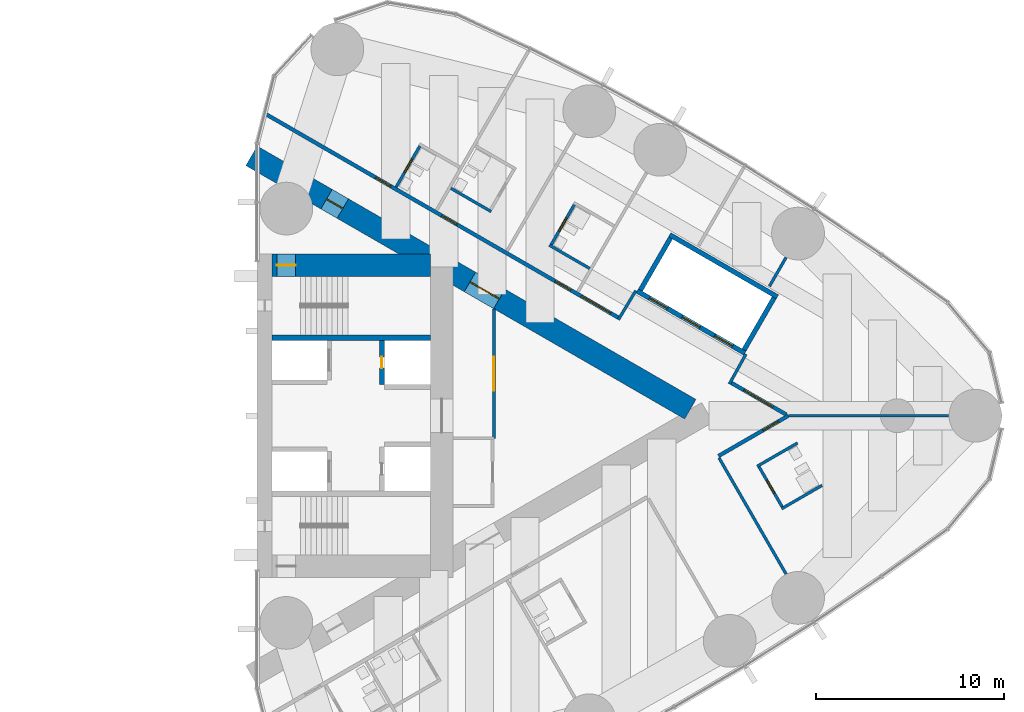
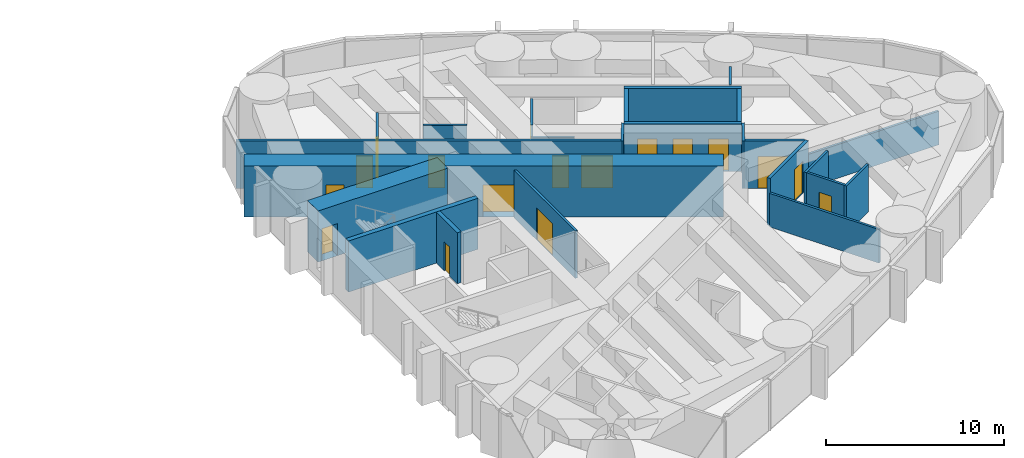
# One storey, part 15 of 19: 24 walls, 17 doors, 17 openings.
"""IFC4 building model written with IfcOpenShell, lengths in metres."""

from ifc_helpers import new_model, si_unit, direction, frame, frame_2d, origin, place, context, subcontext, project, spatial, rectangle, extrude, material, layer, layer_set, type_object, element, fill, save


model = new_model("IFC4")

# Units and contexts
model_context = context("Model", 3, precision=1e-05, world=origin(), true_north=direction((0.0, 1.0)))
body_context = subcontext(model_context, "Body", "Model", "MODEL_VIEW")
ifc_project = project(units=[si_unit("LENGTHUNIT", "METRE"), si_unit("AREAUNIT", "SQUARE_METRE"), si_unit("VOLUMEUNIT", "CUBIC_METRE"), si_unit("PLANEANGLEUNIT", "RADIAN"), si_unit("MASSUNIT", "GRAM", prefix="KILO")], contexts=[model_context])

# Site, building, storey
site_placement = place(None, origin())
site = spatial("IfcSite", under=ifc_project, at=site_placement, CompositionType="ELEMENT")
building_placement = place(site_placement, origin())
building = spatial("IfcBuilding", under=site, at=building_placement, Name="Lancet Gate Hotel", CompositionType="ELEMENT")
storey_placement = place(building_placement, frame((0.0, 0.0, 184.300048828125)))
storey = spatial("IfcBuildingStorey", under=building, at=storey_placement, Name="L49", CompositionType="ELEMENT", Elevation=184.300048828125)

# Wall
ifc_material_1 = material(Name="Moisture resistant board partition")
ifc_layer_1 = layer(ifc_material_1, 0.14990234375)
ifc_layer_set_1 = layer_set([ifc_layer_1], Name="Bathroom wall 150")
wall_type_1 = type_object("IfcWallType", Name="Bathroom wall 150", PredefinedType="PARTITIONING", material=ifc_layer_set_1)
wall_1_placement = place(storey_placement, frame((55.34912109375, -4.938232421875, 0.0), z_axis=(0.0, 0.0, 1.0), x_axis=(0.866006523861, 0.500032699561, 0.0)))
element("IfcWall", 1, at=wall_1_placement, inside=storey, type_object=wall_type_1, Name="T2 bathroom wall 150 L49", PredefinedType="PARTITIONING", context=body_context, shape_type="SweptSolid", body=[
    extrude(rectangle(XDim=2.474853515625, YDim=0.14990234375, at=frame_2d((1.2373046875, 0.0))), origin(), (0.0, 0.0, 1.0), 3.25),
])

# Wall, opening, door
wall_2_placement = place(storey_placement, frame((54.114013671875, -2.64892578125, 0.0), z_axis=(0.0, 0.0, 1.0), x_axis=(0.500006934395, -0.866021400173, 0.0)))
wall_2 = element("IfcWall", 2, at=wall_2_placement, inside=storey, type_object=wall_type_1, Name="T2 bathroom wall 150 L49", PredefinedType="PARTITIONING", context=body_context, shape_type="SweptSolid", body=[
    extrude(rectangle(XDim=2.60009765625, YDim=0.14990234375, at=frame_2d((1.300048828125, 0.0))), origin(), (0.0, 0.0, 1.0), 3.25),
])
opening_1_placement = place(wall_2_placement, frame((0.89990234375, 0.0, 0.0)))
opening_1 = element("IfcOpeningElement", 3, at=opening_1_placement, cuts=wall_2, Name="Opening 4957-B", PredefinedType="OPENING", context=body_context, shape_type="SweptSolid", body=[
    extrude(rectangle(XDim=0.800048828125, YDim=2.199951171875, at=frame_2d((0.39990234375, 1.10009765625))), frame((0.0, 0.0849609375, 0.0), z_axis=(0.0, -1.0, 0.0), x_axis=(1.0, 0.0, 0.0)), (0.0, 0.0, 1.0), 0.169921875),
])
ifc_material_2 = material(Name="Timber door set", Category="wood")
door_type_1 = type_object("IfcDoorType", Name="Bathroom door 800", OperationType="SINGLE_SWING_RIGHT", PredefinedType="DOOR", material=ifc_material_2)
door_1_placement = place(opening_1_placement, origin())
door_1 = element("IfcDoor", 4, at=door_1_placement, inside=storey, type_object=door_type_1, Name="4957-B", OperationType="SINGLE_SWING_RIGHT", OverallHeight=2.199951171875, OverallWidth=0.800048828125, PredefinedType="DOOR", context=body_context, shape_type="SweptSolid", body=[
    extrude(rectangle(XDim=0.800048828125, YDim=2.199951171875, at=frame_2d((0.39990234375, 1.10009765625))), frame((0.0, 0.02490234375, 0.0), z_axis=(0.0, -1.0, 0.0), x_axis=(1.0, 0.0, 0.0)), (0.0, 0.0, 1.0), 0.050048828125),
])
fill(opening_1, door_1)

# Wall
wall_3_placement = place(storey_placement, frame((54.049072265625, -2.6865234375, 0.0), z_axis=(0.0, 0.0, 1.0), x_axis=(0.866006523861, 0.500032699561, 0.0)))
element("IfcWall", 5, at=wall_3_placement, inside=storey, type_object=wall_type_1, Name="T2 bathroom wall 150 L49", PredefinedType="PARTITIONING", context=body_context, shape_type="SweptSolid", body=[
    extrude(rectangle(XDim=2.474853515625, YDim=0.14990234375, at=frame_2d((1.2373046875, 0.0))), origin(), (0.0, 0.0, 1.0), 3.25),
])

# Wall, opening, door
wall_4_placement = place(storey_placement, frame((43.078125, 9.020751953125, 0.0), z_axis=(0.0, 0.0, 1.0), x_axis=(0.49997716683, 0.86603858612, 0.0)))
wall_4 = element("IfcWall", 6, at=wall_4_placement, inside=storey, type_object=wall_type_1, Name="T2 bathroom wall 150 L49", PredefinedType="PARTITIONING", context=body_context, shape_type="SweptSolid", body=[
    extrude(rectangle(XDim=2.599609375, YDim=0.14990234375, at=frame_2d((1.2998046875, 0.0))), origin(), (0.0, 0.0, 1.0), 3.25),
])
opening_2_placement = place(wall_4_placement, frame((0.89990234375, 0.0, 0.0)))
opening_2 = element("IfcOpeningElement", 7, at=opening_2_placement, cuts=wall_4, Name="Opening 4961-B", PredefinedType="OPENING", context=body_context, shape_type="SweptSolid", body=[
    extrude(rectangle(XDim=0.800048828125, YDim=2.199951171875, at=frame_2d((0.39990234375, 1.10009765625))), frame((0.0, 0.0849609375, 0.0), z_axis=(0.0, -1.0, 0.0), x_axis=(1.0, 0.0, 0.0)), (0.0, 0.0, 1.0), 0.169921875),
])
door_2_placement = place(opening_2_placement, origin())
door_2 = element("IfcDoor", 8, at=door_2_placement, inside=storey, type_object=door_type_1, Name="4961-B", OperationType="SINGLE_SWING_RIGHT", OverallHeight=2.199951171875, OverallWidth=0.800048828125, PredefinedType="DOOR", context=body_context, shape_type="SweptSolid", body=[
    extrude(rectangle(XDim=0.800048828125, YDim=2.199951171875, at=frame_2d((0.39990234375, 1.10009765625))), frame((0.0, 0.02490234375, 0.0), z_axis=(0.0, -1.0, 0.0), x_axis=(1.0, 0.0, 0.0)), (0.0, 0.0, 1.0), 0.050048828125),
])
fill(opening_2, door_2)

# Walls
wall_5_placement = place(storey_placement, frame((43.01318359375, 9.05810546875, 0.0), z_axis=(0.0, 0.0, 1.0), x_axis=(0.866006523861, -0.500032699561, 0.0)))
element("IfcWall", 9, at=wall_5_placement, inside=storey, type_object=wall_type_1, Name="T2 bathroom wall 150 L49", PredefinedType="PARTITIONING", context=body_context, shape_type="SweptSolid", body=[
    extrude(rectangle(XDim=2.474853515625, YDim=0.14990234375, at=frame_2d((1.2373046875, 0.0))), origin(), (0.0, 0.0, 1.0), 2.449951171875),
])
wall_6_placement = place(storey_placement, frame((37.787109375, 12.075439453125, 0.0), z_axis=(0.0, 0.0, 1.0), x_axis=(0.866006523861, -0.500032699561, 0.0)))
element("IfcWall", 10, at=wall_6_placement, inside=storey, type_object=wall_type_1, Name="T2 bathroom wall 150 L49", PredefinedType="PARTITIONING", context=body_context, shape_type="SweptSolid", body=[
    extrude(rectangle(XDim=2.474853515625, YDim=0.14990234375, at=frame_2d((1.2373046875, 0.0))), origin(), (0.0, 0.0, 1.0), 3.25),
])

# Wall, opening, door
wall_7_placement = place(storey_placement, frame((34.878662109375, 12.137939453125, 0.0), z_axis=(0.0, 0.0, 1.0), x_axis=(0.500006934395, 0.866021400173, 0.0)))
wall_7 = element("IfcWall", 11, at=wall_7_placement, inside=storey, type_object=wall_type_1, Name="T2 bathroom wall 150 L49", PredefinedType="PARTITIONING", context=body_context, shape_type="SweptSolid", body=[
    extrude(rectangle(XDim=2.60009765625, YDim=0.14990234375, at=frame_2d((1.300048828125, 0.0))), origin(), (0.0, 0.0, 1.0), 3.25),
])
opening_3_placement = place(wall_7_placement, frame((0.89990234375, 0.0, 0.0)))
opening_3 = element("IfcOpeningElement", 12, at=opening_3_placement, cuts=wall_7, Name="Opening 4963-B", PredefinedType="OPENING", context=body_context, shape_type="SweptSolid", body=[
    extrude(rectangle(XDim=0.800048828125, YDim=2.199951171875, at=frame_2d((0.39990234375, 1.10009765625))), frame((0.0, 0.0849609375, 0.0), z_axis=(0.0, -1.0, 0.0), x_axis=(1.0, 0.0, 0.0)), (0.0, 0.0, 1.0), 0.169921875),
])
door_3_placement = place(opening_3_placement, origin())
door_3 = element("IfcDoor", 13, at=door_3_placement, inside=storey, type_object=door_type_1, Name="4963-B", OperationType="SINGLE_SWING_RIGHT", OverallHeight=2.199951171875, OverallWidth=0.800048828125, PredefinedType="DOOR", context=body_context, shape_type="SweptSolid", body=[
    extrude(rectangle(XDim=0.800048828125, YDim=2.199951171875, at=frame_2d((0.39990234375, 1.10009765625))), frame((0.0, 0.02490234375, 0.0), z_axis=(0.0, -1.0, 0.0), x_axis=(1.0, 0.0, 0.0)), (0.0, 0.0, 1.0), 0.050048828125),
])
fill(opening_3, door_3)

# Wall, openings, doors
ifc_material_3 = material(Name="Concrete C70/85", Category="concrete")
ifc_layer_2 = layer(ifc_material_3, 1.199951171875)
ifc_layer_set_2 = layer_set([ifc_layer_2], Name="Buttress wall 1200")
wall_type_2 = type_object("IfcWallType", Name="Buttress wall 1200", PredefinedType="SHEAR", material=ifc_layer_set_2)
wall_8_placement = place(storey_placement, frame((27.199951171875, 13.800048828125, 0.0), z_axis=(0.0, 0.0, 1.0), x_axis=(0.866024515034, -0.500001539357, 0.0)))
wall_8 = element("IfcWall", 14, at=wall_8_placement, inside=storey, type_object=wall_type_2, Name="T2 buttress wall N L49", PredefinedType="SHEAR", context=body_context, shape_type="SweptSolid", body=[
    extrude(rectangle(XDim=26.9072265625, YDim=1.199951171875, at=frame_2d((13.45361328125, 0.0))), origin(), (0.0, 0.0, 1.0), 3.5),
])
opening_4_placement = place(wall_8_placement, frame((4.60009765625, 0.0, 0.0)))
opening_4 = element("IfcOpeningElement", 15, at=opening_4_placement, cuts=wall_8, Name="Opening T2-L49-LN", PredefinedType="OPENING", context=body_context, shape_type="SweptSolid", body=[
    extrude(rectangle(XDim=1.0, YDim=2.199951171875, at=frame_2d((0.5, 1.10009765625))), frame((0.0, 0.60986328125, 0.0), z_axis=(0.0, -1.0, 0.0), x_axis=(1.0, 0.0, 0.0)), (0.0, 0.0, 1.0), 1.219970703125),
])
opening_5_placement = place(wall_8_placement, frame((13.39453125, 0.0, 0.0)))
opening_5 = element("IfcOpeningElement", 16, at=opening_5_placement, cuts=wall_8, Name="Opening T2-L49-LHN", PredefinedType="OPENING", context=body_context, shape_type="SweptSolid", body=[
    extrude(rectangle(XDim=1.800048828125, YDim=2.199951171875, at=frame_2d((0.89990234375, 1.10009765625))), frame((0.0, 0.60986328125, 0.0), z_axis=(0.0, -1.0, 0.0), x_axis=(1.0, 0.0, 0.0)), (0.0, 0.0, 1.0), 1.219970703125),
])
ifc_material_4 = material(Name="Timber door set", Category="wood")
door_type_2 = type_object("IfcDoorType", Name="Lobby double door 1800", OperationType="DOUBLE_DOOR_SINGLE_SWING", PredefinedType="DOOR", material=ifc_material_4)
door_4_placement = place(opening_5_placement, origin())
door_4 = element("IfcDoor", 17, at=door_4_placement, inside=storey, type_object=door_type_2, Name="T2-L49-LHN", OperationType="DOUBLE_DOOR_SINGLE_SWING", OverallHeight=2.199951171875, OverallWidth=1.800048828125, PredefinedType="DOOR", context=body_context, shape_type="SweptSolid", body=[
    extrude(rectangle(XDim=1.800048828125, YDim=2.199951171875, at=frame_2d((0.89990234375, 1.10009765625))), frame((0.0, 0.02490234375, 0.0), z_axis=(0.0, -1.0, 0.0), x_axis=(1.0, 0.0, 0.0)), (0.0, 0.0, 1.0), 0.050048828125),
])
fill(opening_5, door_4)
ifc_material_5 = material(Name="Timber door set", Category="wood")
door_type_3 = type_object("IfcDoorType", Name="Stair lobby door 1000", OperationType="SINGLE_SWING_LEFT", PredefinedType="DOOR", material=ifc_material_5)
door_5_placement = place(opening_4_placement, origin())
door_5 = element("IfcDoor", 18, at=door_5_placement, inside=storey, type_object=door_type_3, Name="T2-L49-LN", OperationType="SINGLE_SWING_LEFT", OverallHeight=2.199951171875, OverallWidth=1.0, PredefinedType="DOOR", context=body_context, shape_type="SweptSolid", body=[
    extrude(rectangle(XDim=1.0, YDim=2.199951171875, at=frame_2d((0.5, 1.10009765625))), frame((0.0, 0.02490234375, 0.0), z_axis=(0.0, -1.0, 0.0), x_axis=(1.0, 0.0, 0.0)), (0.0, 0.0, 1.0), 0.050048828125),
])
fill(opening_4, door_5)

# Wall, opening, door
ifc_material_6 = material(Name="Concrete C70/85", Category="concrete")
ifc_layer_3 = layer(ifc_material_6, 1.199951171875)
ifc_layer_set_3 = layer_set([ifc_layer_3], Name="Core wall 1200")
wall_type_3 = type_object("IfcWallType", Name="Core wall 1200", PredefinedType="SHEAR", material=ifc_layer_set_3)
wall_9_placement = place(storey_placement, frame((28.300048828125, 8.0, 0.0), z_axis=(0.0, 0.0, 1.0), x_axis=(1.0, 0.0, 0.0)))
wall_9 = element("IfcWall", 19, at=wall_9_placement, inside=storey, type_object=wall_type_3, Name="T2 core wall side-N L49", PredefinedType="SHEAR", context=body_context, shape_type="SweptSolid", body=[
    extrude(rectangle(XDim=8.39990234375, YDim=1.199951171875, at=frame_2d((4.199951171875, 0.0))), origin(), (0.0, 0.0, 1.0), 3.5),
])
opening_6_placement = place(wall_9_placement, frame((0.25, 0.0, 0.0)))
opening_6 = element("IfcOpeningElement", 20, at=opening_6_placement, cuts=wall_9, Name="Opening T2-L49-ST2", PredefinedType="OPENING", context=body_context, shape_type="SweptSolid", body=[
    extrude(rectangle(XDim=1.0, YDim=2.199951171875, at=frame_2d((0.5, 1.10009765625))), frame((0.0, 0.60986328125, 0.0), z_axis=(0.0, -1.0, 0.0), x_axis=(1.0, 0.0, 0.0)), (0.0, 0.0, 1.0), 1.219970703125),
])
ifc_material_7 = material(Name="Timber door set", Category="wood")
door_type_4 = type_object("IfcDoorType", Name="Stair door 1000", OperationType="SINGLE_SWING_RIGHT", PredefinedType="DOOR", material=ifc_material_7)
door_6_placement = place(opening_6_placement, origin())
door_6 = element("IfcDoor", 21, at=door_6_placement, inside=storey, type_object=door_type_4, Name="T2-L49-ST2", OperationType="SINGLE_SWING_RIGHT", OverallHeight=2.199951171875, OverallWidth=1.0, PredefinedType="DOOR", context=body_context, shape_type="SweptSolid", body=[
    extrude(rectangle(XDim=1.0, YDim=2.199951171875, at=frame_2d((0.5, 1.10009765625))), frame((0.0, 0.02490234375, 0.0), z_axis=(0.0, -1.0, 0.0), x_axis=(1.0, 0.0, 0.0)), (0.0, 0.0, 1.0), 0.050048828125),
])
fill(opening_6, door_6)

# Wall, openings, doors
ifc_material_8 = material(Name="Gypsum board partition")
ifc_layer_4 = layer(ifc_material_8, 0.199951171875)
ifc_layer_set_4 = layer_set([ifc_layer_4], Name="Corridor wall 200")
wall_type_4 = type_object("IfcWallType", Name="Corridor wall 200", PredefinedType="PARTITIONING", material=ifc_layer_set_4)
wall_10_placement = place(storey_placement, frame((27.95947265625, 16.017333984375, 0.0), z_axis=(0.0, 0.0, 1.0), x_axis=(0.866027146794, -0.499996981007, 0.0)))
wall_10 = element("IfcWall", 22, at=wall_10_placement, inside=storey, type_object=wall_type_4, Name="T2 corridor wall 200 L49", PredefinedType="PARTITIONING", context=body_context, shape_type="SweptSolid", body=[
    extrude(rectangle(XDim=21.657470703125, YDim=0.199951171875, at=frame_2d((10.82861328125, 0.0))), origin(), (0.0, 0.0, 1.0), 3.25),
])
opening_7_placement = place(wall_10_placement, frame((17.741455078125, 0.0, 0.0)))
opening_7 = element("IfcOpeningElement", 23, at=opening_7_placement, cuts=wall_10, Name="Opening 4961-E", PredefinedType="OPENING", context=body_context, shape_type="SweptSolid", body=[
    extrude(rectangle(XDim=0.949951171875, YDim=2.199951171875, at=frame_2d((0.47509765625, 1.10009765625))), frame((0.0, 0.10986328125, 0.0), z_axis=(0.0, -1.0, 0.0), x_axis=(1.0, 0.0, 0.0)), (0.0, 0.0, 1.0), 0.219970703125),
])
opening_8_placement = place(wall_10_placement, frame((10.781982421875, 0.0, 0.0)))
opening_8 = element("IfcOpeningElement", 24, at=opening_8_placement, cuts=wall_10, Name="Opening 4962-E", PredefinedType="OPENING", context=body_context, shape_type="SweptSolid", body=[
    extrude(rectangle(XDim=0.949951171875, YDim=2.199951171875, at=frame_2d((0.47509765625, 1.10009765625))), frame((0.0, 0.10986328125, 0.0), z_axis=(0.0, -1.0, 0.0), x_axis=(1.0, 0.0, 0.0)), (0.0, 0.0, 1.0), 0.219970703125),
])
opening_9_placement = place(wall_10_placement, frame((6.73193359375, 0.0, 0.0)))
opening_9 = element("IfcOpeningElement", 25, at=opening_9_placement, cuts=wall_10, Name="Opening 4963-E", PredefinedType="OPENING", context=body_context, shape_type="SweptSolid", body=[
    extrude(rectangle(XDim=0.949951171875, YDim=2.199951171875, at=frame_2d((0.47509765625, 1.10009765625))), frame((0.0, 0.10986328125, 0.0), z_axis=(0.0, -1.0, 0.0), x_axis=(1.0, 0.0, 0.0)), (0.0, 0.0, 1.0), 0.219970703125),
])
opening_10_placement = place(wall_10_placement, frame((19.349365234375, 0.0, 0.0)))
opening_10 = element("IfcOpeningElement", 26, at=opening_10_placement, cuts=wall_10, Name="Opening T2-L49-LO2", PredefinedType="OPENING", context=body_context, shape_type="SweptSolid", body=[
    extrude(rectangle(XDim=1.800048828125, YDim=2.199951171875, at=frame_2d((0.89990234375, 1.10009765625))), frame((0.0, 0.10986328125, 0.0), z_axis=(0.0, -1.0, 0.0), x_axis=(1.0, 0.0, 0.0)), (0.0, 0.0, 1.0), 0.219970703125),
])
ifc_material_9 = material(Name="Timber door set", Category="wood")
door_type_5 = type_object("IfcDoorType", Name="Double door 1800", OperationType="DOUBLE_DOOR_SINGLE_SWING", PredefinedType="DOOR", material=ifc_material_9)
door_7_placement = place(opening_10_placement, origin())
door_7 = element("IfcDoor", 27, at=door_7_placement, inside=storey, type_object=door_type_5, Name="T2-L49-LO2", OperationType="DOUBLE_DOOR_SINGLE_SWING", OverallHeight=2.199951171875, OverallWidth=1.800048828125, PredefinedType="DOOR", context=body_context, shape_type="SweptSolid", body=[
    extrude(rectangle(XDim=1.800048828125, YDim=2.199951171875, at=frame_2d((0.89990234375, 1.10009765625))), frame((0.0, 0.02490234375, 0.0), z_axis=(0.0, -1.0, 0.0), x_axis=(1.0, 0.0, 0.0)), (0.0, 0.0, 1.0), 0.050048828125),
])
fill(opening_10, door_7)
ifc_material_10 = material(Name="Timber door set", Category="wood")
door_type_6 = type_object("IfcDoorType", Name="Guest room entry door 950", OperationType="SINGLE_SWING_LEFT", PredefinedType="DOOR", material=ifc_material_10)
door_8_placement = place(opening_7_placement, origin())
door_8 = element("IfcDoor", 28, at=door_8_placement, inside=storey, type_object=door_type_6, Name="4961-E", OperationType="SINGLE_SWING_LEFT", OverallHeight=2.199951171875, OverallWidth=0.949951171875, PredefinedType="DOOR", context=body_context, shape_type="SweptSolid", body=[
    extrude(rectangle(XDim=0.949951171875, YDim=2.199951171875, at=frame_2d((0.47509765625, 1.10009765625))), frame((0.0, 0.02490234375, 0.0), z_axis=(0.0, -1.0, 0.0), x_axis=(1.0, 0.0, 0.0)), (0.0, 0.0, 1.0), 0.050048828125),
])
fill(opening_7, door_8)
door_9_placement = place(opening_8_placement, origin())
door_9 = element("IfcDoor", 29, at=door_9_placement, inside=storey, type_object=door_type_6, Name="4962-E", OperationType="SINGLE_SWING_LEFT", OverallHeight=2.199951171875, OverallWidth=0.949951171875, PredefinedType="DOOR", context=body_context, shape_type="SweptSolid", body=[
    extrude(rectangle(XDim=0.949951171875, YDim=2.199951171875, at=frame_2d((0.47509765625, 1.10009765625))), frame((0.0, 0.02490234375, 0.0), z_axis=(0.0, -1.0, 0.0), x_axis=(1.0, 0.0, 0.0)), (0.0, 0.0, 1.0), 0.050048828125),
])
fill(opening_8, door_9)
door_10_placement = place(opening_9_placement, origin())
door_10 = element("IfcDoor", 30, at=door_10_placement, inside=storey, type_object=door_type_6, Name="4963-E", OperationType="SINGLE_SWING_LEFT", OverallHeight=2.199951171875, OverallWidth=0.949951171875, PredefinedType="DOOR", context=body_context, shape_type="SweptSolid", body=[
    extrude(rectangle(XDim=0.949951171875, YDim=2.199951171875, at=frame_2d((0.47509765625, 1.10009765625))), frame((0.0, 0.02490234375, 0.0), z_axis=(0.0, -1.0, 0.0), x_axis=(1.0, 0.0, 0.0)), (0.0, 0.0, 1.0), 0.050048828125),
])
fill(opening_9, door_10)

# Wall, opening, door
wall_11_placement = place(storey_placement, frame((52.63916015625, 1.7685546875, 0.0), z_axis=(0.0, 0.0, 1.0), x_axis=(0.866027340901, -0.4999966448, 0.0)))
wall_11 = element("IfcWall", 31, at=wall_11_placement, inside=storey, type_object=wall_type_4, Name="T2 corridor wall 200 L49", PredefinedType="PARTITIONING", context=body_context, shape_type="SweptSolid", body=[
    extrude(rectangle(XDim=3.4169921875, YDim=0.199951171875, at=frame_2d((1.70849609375, 0.0))), origin(), (0.0, 0.0, 1.0), 3.25),
])
opening_11_placement = place(wall_11_placement, frame((0.80859375, 0.0, 0.0)))
opening_11 = element("IfcOpeningElement", 32, at=opening_11_placement, cuts=wall_11, Name="Opening T2-L49-LO1", PredefinedType="OPENING", context=body_context, shape_type="SweptSolid", body=[
    extrude(rectangle(XDim=1.800048828125, YDim=2.199951171875, at=frame_2d((0.89990234375, 1.10009765625))), frame((0.0, 0.10986328125, 0.0), z_axis=(0.0, -1.0, 0.0), x_axis=(1.0, 0.0, 0.0)), (0.0, 0.0, 1.0), 0.219970703125),
])
door_11_placement = place(opening_11_placement, origin())
door_11 = element("IfcDoor", 33, at=door_11_placement, inside=storey, type_object=door_type_5, Name="T2-L49-LO1", OperationType="DOUBLE_DOOR_SINGLE_SWING", OverallHeight=2.199951171875, OverallWidth=1.800048828125, PredefinedType="DOOR", context=body_context, shape_type="SweptSolid", body=[
    extrude(rectangle(XDim=1.800048828125, YDim=2.199951171875, at=frame_2d((0.89990234375, 1.10009765625))), frame((0.0, 0.02490234375, 0.0), z_axis=(0.0, -1.0, 0.0), x_axis=(1.0, 0.0, 0.0)), (0.0, 0.0, 1.0), 0.050048828125),
])
fill(opening_11, door_11)

wall_12_placement = place(storey_placement, frame((51.996826171875, -2.13916015625, 0.0), z_axis=(0.0, 0.0, 1.0), x_axis=(0.866036399848, 0.499980953776, 0.0)))
wall_12 = element("IfcWall", 34, at=wall_12_placement, inside=storey, type_object=wall_type_4, Name="T2 corridor wall 200 L49", PredefinedType="PARTITIONING", context=body_context, shape_type="SweptSolid", body=[
    extrude(rectangle(XDim=4.278564453125, YDim=0.199951171875, at=frame_2d((2.13916015625, 0.0))), origin(), (0.0, 0.0, 1.0), 3.25),
])
opening_12_placement = place(wall_12_placement, frame((2.728515625, 0.0, 0.0)))
opening_12 = element("IfcOpeningElement", 35, at=opening_12_placement, cuts=wall_12, Name="Opening 4957-E", PredefinedType="OPENING", context=body_context, shape_type="SweptSolid", body=[
    extrude(rectangle(XDim=0.949951171875, YDim=2.199951171875, at=frame_2d((0.47509765625, 1.10009765625))), frame((0.0, 0.10986328125, 0.0), z_axis=(0.0, -1.0, 0.0), x_axis=(1.0, 0.0, 0.0)), (0.0, 0.0, 1.0), 0.219970703125),
])
door_12_placement = place(opening_12_placement, origin())
door_12 = element("IfcDoor", 36, at=door_12_placement, inside=storey, type_object=door_type_6, Name="4957-E", OperationType="SINGLE_SWING_LEFT", OverallHeight=2.199951171875, OverallWidth=0.949951171875, PredefinedType="DOOR", context=body_context, shape_type="SweptSolid", body=[
    extrude(rectangle(XDim=0.949951171875, YDim=2.199951171875, at=frame_2d((0.47509765625, 1.10009765625))), frame((0.0, 0.02490234375, 0.0), z_axis=(0.0, -1.0, 0.0), x_axis=(1.0, 0.0, 0.0)), (0.0, 0.0, 1.0), 0.050048828125),
])
fill(opening_12, door_12)

# Wall, openings, doors
ifc_material_11 = material(Name="Gypsum board partition")
ifc_layer_5 = layer(ifc_material_11, 0.25)
ifc_layer_set_5 = layer_set([ifc_layer_5], Name="Lift shaft partition 250")
wall_type_5 = type_object("IfcWallType", Name="Lift shaft partition 250", PredefinedType="PARTITIONING", material=ifc_layer_set_5)
wall_13_placement = place(storey_placement, frame((47.681396484375, 6.622314453125, 0.0), z_axis=(0.0, 0.0, 1.0), x_axis=(0.86603344179, -0.499986077507, 0.0)))
wall_13 = element("IfcWall", 37, at=wall_13_placement, inside=storey, type_object=wall_type_5, Name="T2 lift shaft wall HL L49", PredefinedType="PARTITIONING", context=body_context, shape_type="SweptSolid", body=[
    extrude(rectangle(XDim=6.600341796875, YDim=0.25, at=frame_2d((3.30029296875, 0.0))), origin(), (0.0, 0.0, 1.0), 3.25),
])
opening_13_placement = place(wall_13_placement, frame((0.75, 0.0, 0.0)))
opening_13 = element("IfcOpeningElement", 38, at=opening_13_placement, cuts=wall_13, Name="Opening T2-HL1-L49", PredefinedType="OPENING", context=body_context, shape_type="SweptSolid", body=[
    extrude(rectangle(XDim=1.10009765625, YDim=2.199951171875, at=frame_2d((0.550048828125, 1.10009765625))), frame((0.0, 0.135009765625, 0.0), z_axis=(0.0, -1.0, 0.0), x_axis=(1.0, 0.0, 0.0)), (0.0, 0.0, 1.0), 0.27001953125),
])
opening_14_placement = place(wall_13_placement, frame((2.75, 0.0, 0.0)))
opening_14 = element("IfcOpeningElement", 39, at=opening_14_placement, cuts=wall_13, Name="Opening T2-HL2-L49", PredefinedType="OPENING", context=body_context, shape_type="SweptSolid", body=[
    extrude(rectangle(XDim=1.10009765625, YDim=2.199951171875, at=frame_2d((0.550048828125, 1.10009765625))), frame((0.0, 0.135009765625, 0.0), z_axis=(0.0, -1.0, 0.0), x_axis=(1.0, 0.0, 0.0)), (0.0, 0.0, 1.0), 0.27001953125),
])
opening_15_placement = place(wall_13_placement, frame((4.75, 0.0, 0.0)))
opening_15 = element("IfcOpeningElement", 40, at=opening_15_placement, cuts=wall_13, Name="Opening T2-HL3-L49", PredefinedType="OPENING", context=body_context, shape_type="SweptSolid", body=[
    extrude(rectangle(XDim=1.10009765625, YDim=2.199951171875, at=frame_2d((0.550048828125, 1.10009765625))), frame((0.0, 0.135009765625, 0.0), z_axis=(0.0, -1.0, 0.0), x_axis=(1.0, 0.0, 0.0)), (0.0, 0.0, 1.0), 0.27001953125),
])
ifc_material_12 = material(Name="Steel door set", Category="steel")
door_type_7 = type_object("IfcDoorType", Name="Lift landing door 1100", OperationType="DOUBLE_DOOR_SLIDING", PredefinedType="USERDEFINED", material=ifc_material_12)
door_13_placement = place(opening_13_placement, origin())
door_13 = element("IfcDoor", 41, at=door_13_placement, inside=storey, type_object=door_type_7, Name="T2-HL1-L49", ObjectType="LIFT LANDING DOOR", OperationType="DOUBLE_DOOR_SLIDING", OverallHeight=2.199951171875, OverallWidth=1.10009765625, PredefinedType="USERDEFINED", context=body_context, shape_type="SweptSolid", body=[
    extrude(rectangle(XDim=1.10009765625, YDim=2.199951171875, at=frame_2d((0.550048828125, 1.10009765625))), frame((0.0, 0.02490234375, 0.0), z_axis=(0.0, -1.0, 0.0), x_axis=(1.0, 0.0, 0.0)), (0.0, 0.0, 1.0), 0.050048828125),
])
fill(opening_13, door_13)
door_14_placement = place(opening_14_placement, origin())
door_14 = element("IfcDoor", 42, at=door_14_placement, inside=storey, type_object=door_type_7, Name="T2-HL2-L49", ObjectType="LIFT LANDING DOOR", OperationType="DOUBLE_DOOR_SLIDING", OverallHeight=2.199951171875, OverallWidth=1.10009765625, PredefinedType="USERDEFINED", context=body_context, shape_type="SweptSolid", body=[
    extrude(rectangle(XDim=1.10009765625, YDim=2.199951171875, at=frame_2d((0.550048828125, 1.10009765625))), frame((0.0, 0.02490234375, 0.0), z_axis=(0.0, -1.0, 0.0), x_axis=(1.0, 0.0, 0.0)), (0.0, 0.0, 1.0), 0.050048828125),
])
fill(opening_14, door_14)
door_15_placement = place(opening_15_placement, origin())
door_15 = element("IfcDoor", 43, at=door_15_placement, inside=storey, type_object=door_type_7, Name="T2-HL3-L49", ObjectType="LIFT LANDING DOOR", OperationType="DOUBLE_DOOR_SLIDING", OverallHeight=2.199951171875, OverallWidth=1.10009765625, PredefinedType="USERDEFINED", context=body_context, shape_type="SweptSolid", body=[
    extrude(rectangle(XDim=1.10009765625, YDim=2.199951171875, at=frame_2d((0.550048828125, 1.10009765625))), frame((0.0, 0.02490234375, 0.0), z_axis=(0.0, -1.0, 0.0), x_axis=(1.0, 0.0, 0.0)), (0.0, 0.0, 1.0), 0.050048828125),
])
fill(opening_15, door_15)

# Walls
wall_14_placement = place(storey_placement, frame((49.406494140625, 9.61083984375, 0.0), z_axis=(0.0, 0.0, 1.0), x_axis=(0.86603344179, -0.499986077507, 0.0)))
element("IfcWall", 44, at=wall_14_placement, inside=storey, type_object=wall_type_5, Name="T2 lift shaft wall HL L49", PredefinedType="PARTITIONING", context=body_context, shape_type="SweptSolid", body=[
    extrude(rectangle(XDim=6.600341796875, YDim=0.25, at=frame_2d((3.30029296875, 0.0))), origin(), (0.0, 0.0, 1.0), 3.25),
])
wall_15_placement = place(storey_placement, frame((47.852294921875, 6.66796875, 0.0), z_axis=(0.0, 0.0, 1.0), x_axis=(0.499929347863, 0.866066190972, 0.0)))
element("IfcWall", 45, at=wall_15_placement, inside=storey, type_object=wall_type_5, Name="T2 lift shaft wall HL L49", PredefinedType="PARTITIONING", context=body_context, shape_type="SweptSolid", body=[
    extrude(rectangle(XDim=3.20068359375, YDim=0.25, at=frame_2d((1.600341796875, 0.0))), origin(), (0.0, 0.0, 1.0), 3.25),
])
wall_16_placement = place(storey_placement, frame((53.351806640625, 3.492919921875, 0.0), z_axis=(0.0, 0.0, 1.0), x_axis=(0.499872130319, 0.866099216793, 0.0)))
element("IfcWall", 46, at=wall_16_placement, inside=storey, type_object=wall_type_5, Name="T2 lift shaft wall HL L49", PredefinedType="PARTITIONING", context=body_context, shape_type="SweptSolid", body=[
    extrude(rectangle(XDim=3.200439453125, YDim=0.25, at=frame_2d((1.60009765625, 0.0))), origin(), (0.0, 0.0, 1.0), 3.25),
])

# Wall, opening, door
ifc_material_13 = material(Name="Concrete C50/60", Category="concrete")
ifc_layer_6 = layer(ifc_material_13, 0.25)
ifc_layer_set_6 = layer_set([ifc_layer_6], Name="Lift shaft wall 250")
wall_type_6 = type_object("IfcWallType", Name="Lift shaft wall 250", PredefinedType="SHEAR", material=ifc_layer_set_6)
wall_17_placement = place(storey_placement, frame((34.125, 1.64990234375, 0.0), z_axis=(0.0, 0.0, 1.0), x_axis=(0.0, 1.0, 0.0)))
wall_17 = element("IfcWall", 47, at=wall_17_placement, inside=storey, type_object=wall_type_6, Name="T2 core wall row2-N L49", PredefinedType="SHEAR", context=body_context, shape_type="SweptSolid", body=[
    extrude(rectangle(XDim=2.35009765625, YDim=0.25, at=frame_2d((1.175048828125, 0.0))), origin(), (0.0, 0.0, 1.0), 3.5),
])
opening_16_placement = place(wall_17_placement, frame((0.875, 0.0, 0.0)))
opening_16 = element("IfcOpeningElement", 48, at=opening_16_placement, cuts=wall_17, Name="Opening T2-OL4-L49-E", PredefinedType="OPENING", context=body_context, shape_type="SweptSolid", body=[
    extrude(rectangle(XDim=0.60009765625, YDim=2.0, at=frame_2d((0.300048828125, 1.0))), frame((0.0, 0.135009765625, 0.0), z_axis=(0.0, -1.0, 0.0), x_axis=(1.0, 0.0, 0.0)), (0.0, 0.0, 1.0), 0.27001953125),
])
ifc_material_14 = material(Name="Steel door set", Category="steel")
door_type_8 = type_object("IfcDoorType", Name="Lift shaft emergency door 600x2000", OperationType="SLIDING_TO_LEFT", PredefinedType="DOOR", material=ifc_material_14)
door_16_placement = place(opening_16_placement, origin())
door_16 = element("IfcDoor", 49, at=door_16_placement, inside=storey, type_object=door_type_8, Name="T2-OL4-L49-E", OperationType="SLIDING_TO_LEFT", OverallHeight=2.0, OverallWidth=0.60009765625, PredefinedType="DOOR", context=body_context, shape_type="SweptSolid", body=[
    extrude(rectangle(XDim=0.60009765625, YDim=2.0, at=frame_2d((0.300048828125, 1.0))), frame((0.0, 0.02490234375, 0.0), z_axis=(0.0, -1.0, 0.0), x_axis=(1.0, 0.0, 0.0)), (0.0, 0.0, 1.0), 0.050048828125),
])
fill(opening_16, door_16)

# Walls
ifc_material_15 = material(Name="Gypsum board partition")
ifc_layer_7 = layer(ifc_material_15, 0.14990234375)
ifc_layer_set_7 = layer_set([ifc_layer_7], Name="Party wall 150")
wall_type_7 = type_object("IfcWallType", Name="Party wall 150", PredefinedType="PARTITIONING", material=ifc_layer_set_7)
wall_18_placement = place(storey_placement, frame((52.025390625, -2.23828125, 0.0), z_axis=(0.0, 0.0, 1.0), x_axis=(0.499983785035, -0.866034765296, 0.0)))
element("IfcWall", 50, at=wall_18_placement, inside=storey, type_object=wall_type_7, Name="T2 party wall 150 L49", PredefinedType="PARTITIONING", context=body_context, shape_type="SweptSolid", body=[
    extrude(rectangle(XDim=7.116455078125, YDim=0.14990234375, at=frame_2d((3.55810546875, 0.0))), origin(), (0.0, 0.0, 1.0), 2.300048828125),
])
wall_19_placement = place(storey_placement, frame((55.7021484375, 0.0, 0.0), z_axis=(0.0, 0.0, 1.0), x_axis=(1.0, 0.0, 0.0)))
element("IfcWall", 51, at=wall_19_placement, inside=storey, type_object=wall_type_7, Name="T2 party wall 150 L49", PredefinedType="PARTITIONING", context=body_context, shape_type="SweptSolid", body=[
    extrude(rectangle(XDim=8.517578125, YDim=0.14990234375, at=frame_2d((4.2587890625, 0.0))), origin(), (0.0, 0.0, 1.0), 2.300048828125),
])
wall_20_placement = place(storey_placement, frame((54.700439453125, 6.871826171875, 0.0), z_axis=(0.0, 0.0, 1.0), x_axis=(0.499989690894, 0.866031355668, 0.0)))
element("IfcWall", 52, at=wall_20_placement, inside=storey, type_object=wall_type_7, Name="T2 party wall 150 L49", PredefinedType="PARTITIONING", context=body_context, shape_type="SweptSolid", body=[
    extrude(rectangle(XDim=1.76611328125, YDim=0.14990234375, at=frame_2d((0.883056640625, 0.0))), origin(), (0.0, 0.0, 1.0), 3.25),
])
ifc_material_16 = material(Name="Gypsum board partition")
ifc_layer_8 = layer(ifc_material_16, 0.14990234375)
ifc_layer_set_8 = layer_set([ifc_layer_8], Name="Service room wall 150")
wall_type_8 = type_object("IfcWallType", Name="Service room wall 150", PredefinedType="PARTITIONING", material=ifc_layer_set_8)
for number, where, z_axis, x_axis, name in (
    (53, (52.576171875, 1.689453125, 0.0), (0.0, 0.0, 1.0), (0.485482130951, 0.874246590229, 0.0), "T2 service room wall 150 L49"),
    (54, (47.6064453125, 6.642578125, 0.0), (0.0, 0.0, 1.0), (-0.514237157483, -0.857648031458, 0.0), "T2 service room wall 150 L49"),
):
    element("IfcWall", number, at=place(storey_placement, frame(where, z_axis=z_axis, x_axis=x_axis)), inside=storey, type_object=wall_type_8, Name=name, PredefinedType="PARTITIONING", context=body_context, shape_type="SweptSolid", body=[
        extrude(rectangle(XDim=1.804931640625, YDim=0.14990234375, at=frame_2d((0.90234375, 0.0))), origin(), (0.0, 0.0, 1.0), 3.25),
    ])

# Wall, opening, door
wall_21_placement = place(storey_placement, frame((40.074951171875, -1.199951171875, 0.0), z_axis=(0.0, 0.0, 1.0), x_axis=(0.0, 1.0, 0.0)))
wall_21 = element("IfcWall", 55, at=wall_21_placement, inside=storey, type_object=wall_type_8, Name="T2 service room wall 150 L49", PredefinedType="PARTITIONING", context=body_context, shape_type="SweptSolid", body=[
    extrude(rectangle(XDim=6.873779296875, YDim=0.14990234375, at=frame_2d((3.43701171875, 0.0))), origin(), (0.0, 0.0, 1.0), 3.25),
])
opening_17_placement = place(wall_21_placement, frame((2.536865234375, 0.0, 0.0)))
opening_17 = element("IfcOpeningElement", 56, at=opening_17_placement, cuts=wall_21, Name="Opening T2-L49-LH", PredefinedType="OPENING", context=body_context, shape_type="SweptSolid", body=[
    extrude(rectangle(XDim=1.800048828125, YDim=2.199951171875, at=frame_2d((0.89990234375, 1.10009765625))), frame((0.0, 0.0849609375, 0.0), z_axis=(0.0, -1.0, 0.0), x_axis=(1.0, 0.0, 0.0)), (0.0, 0.0, 1.0), 0.169921875),
])
door_17_placement = place(opening_17_placement, origin())
door_17 = element("IfcDoor", 57, at=door_17_placement, inside=storey, type_object=door_type_2, Name="T2-L49-LH", OperationType="DOUBLE_DOOR_SINGLE_SWING", OverallHeight=2.199951171875, OverallWidth=1.800048828125, PredefinedType="DOOR", context=body_context, shape_type="SweptSolid", body=[
    extrude(rectangle(XDim=1.800048828125, YDim=2.199951171875, at=frame_2d((0.89990234375, 1.10009765625))), frame((0.0, 0.02490234375, 0.0), z_axis=(0.0, -1.0, 0.0), x_axis=(1.0, 0.0, 0.0)), (0.0, 0.0, 1.0), 0.050048828125),
])
fill(opening_17, door_17)

# Wall
ifc_material_17 = material(Name="Concrete C50/60", Category="concrete")
ifc_layer_9 = layer(ifc_material_17, 0.300048828125)
ifc_layer_set_9 = layer_set([ifc_layer_9], Name="Stair enclosure wall 300")
wall_type_9 = type_object("IfcWallType", Name="Stair enclosure wall 300", PredefinedType="SHEAR", material=ifc_layer_set_9)
wall_22_placement = place(storey_placement, frame((28.300048828125, 4.14990234375, 0.0), z_axis=(0.0, 0.0, 1.0), x_axis=(1.0, 0.0, 0.0)))
element("IfcWall", 58, at=wall_22_placement, inside=storey, type_object=wall_type_9, Name="T2 core wall stair-N L49", PredefinedType="SHEAR", context=body_context, shape_type="SweptSolid", body=[
    extrude(rectangle(XDim=8.39990234375, YDim=0.300048828125, at=frame_2d((4.199951171875, 0.0))), origin(), (0.0, 0.0, 1.0), 3.5),
])

save(model, "model.ifc")
